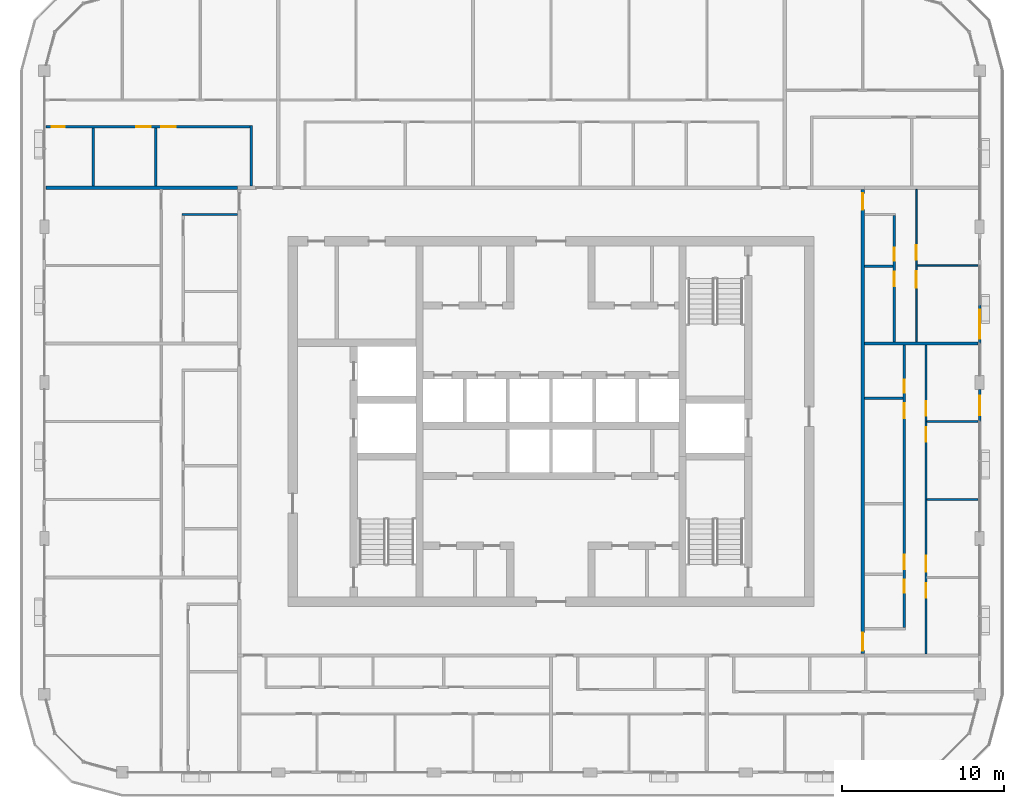
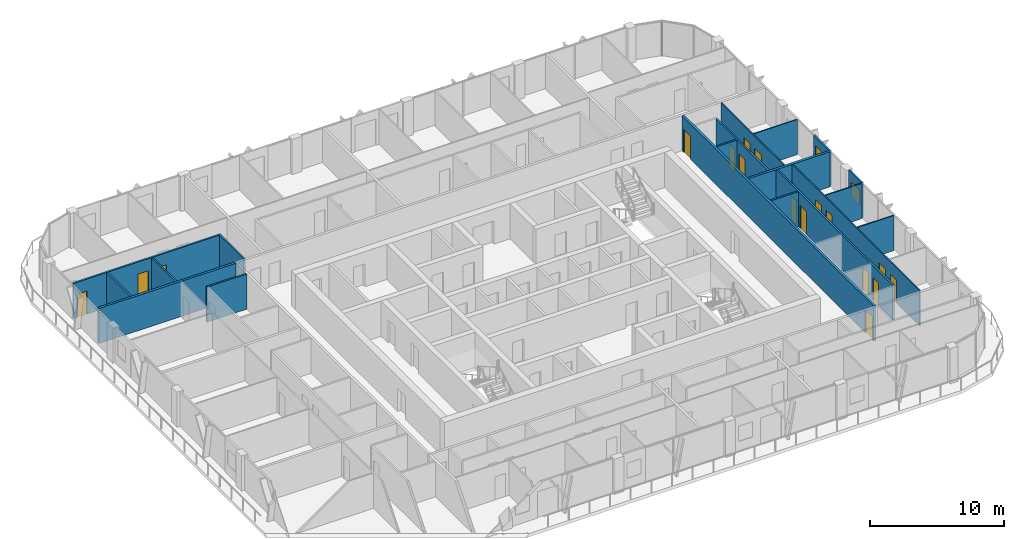
# One storey, part 13 of 21: 19 walls, 18 doors, 1 window, 19 openings.
"""IFC4 building model written with IfcOpenShell, lengths in metres."""

from ifc_helpers import new_model, si_unit, direction, frame, frame_2d, origin, place, context, subcontext, project, spatial, rectangle, extrude, material, layer, layer_set, type_object, element, fill, save


model = new_model("IFC4")

# Units and contexts
model_context = context("Model", 3, precision=1e-05, world=origin(), true_north=direction((0.0, 1.0)))
body_context = subcontext(model_context, "Body", "Model", "MODEL_VIEW")
ifc_project = project(units=[si_unit("LENGTHUNIT", "METRE"), si_unit("AREAUNIT", "SQUARE_METRE"), si_unit("VOLUMEUNIT", "CUBIC_METRE"), si_unit("PLANEANGLEUNIT", "RADIAN"), si_unit("MASSUNIT", "GRAM", prefix="KILO")], contexts=[model_context])

# Site, building, storey
site_placement = place(None, origin())
site = spatial("IfcSite", under=ifc_project, at=site_placement, CompositionType="ELEMENT")
building_placement = place(site_placement, origin())
building = spatial("IfcBuilding", under=site, at=building_placement, Name="Madar Terraces", CompositionType="ELEMENT")
storey_placement = place(building_placement, frame((0.0, 0.0, 238.699951171875)))
storey = spatial("IfcBuildingStorey", under=building, at=storey_placement, Name="L62", CompositionType="ELEMENT", Elevation=238.699951171875)

# Wall, opening, window
ifc_material_1 = material(Name="Aluminium composite panel, black, over insulated backing", Category="aluminium")
ifc_layer_1 = layer(ifc_material_1, 0.14990234375)
ifc_layer_set_1 = layer_set([ifc_layer_1], Name="Facade bay panel 150")
wall_type_1 = type_object("IfcWallType", Name="Facade bay panel 150", PredefinedType="SOLIDWALL", material=ifc_layer_set_1)
wall_1_placement = place(storey_placement, frame((57.60009765625, 26.39990234375, 0.0), z_axis=(0.0, 0.0, 1.0), x_axis=(0.0, 1.0, 0.0)))
wall_1 = element("IfcWall", 1, at=wall_1_placement, inside=storey, type_object=wall_type_1, Name="Facade bay panel", PredefinedType="SOLIDWALL", context=body_context, shape_type="SweptSolid", body=[
    extrude(rectangle(XDim=1.97509765625, YDim=0.14990234375, at=frame_2d((0.987548828125, 0.0))), origin(), (0.0, 0.0, 1.0), 3.199951171875),
])
opening_1_placement = place(wall_1_placement, frame((0.387451171875, 0.0, 0.89990234375)))
opening_1 = element("IfcOpeningElement", 2, at=opening_1_placement, cuts=wall_1, Name="Opening W1", PredefinedType="OPENING", context=body_context, shape_type="SweptSolid", body=[
    extrude(rectangle(XDim=1.199951171875, YDim=1.39990234375, at=frame_2d((0.60009765625, 0.699951171875))), frame((0.0, 0.0849609375, 0.0), z_axis=(0.0, -1.0, 0.0), x_axis=(1.0, 0.0, 0.0)), (0.0, 0.0, 1.0), 0.169921875),
])
ifc_material_2 = material(Name="Glass, clear, with black aluminium frame", Category="aluminium")
window_type = type_object("IfcWindowType", Name="Vent window 1200 x 1400", PartitioningType="SINGLE_PANEL", PredefinedType="WINDOW", material=ifc_material_2)
window_placement = place(opening_1_placement, origin())
window = element("IfcWindow", 3, at=window_placement, inside=storey, type_object=window_type, Name="Operable vent window", OverallHeight=1.39990234375, OverallWidth=1.199951171875, PartitioningType="SINGLE_PANEL", PredefinedType="WINDOW", context=body_context, shape_type="SweptSolid", body=[
    extrude(rectangle(XDim=1.199951171875, YDim=1.39990234375, at=frame_2d((0.60009765625, 0.699951171875))), frame((0.0, 0.030029296875, 0.0), z_axis=(0.0, -1.0, 0.0), x_axis=(1.0, 0.0, 0.0)), (0.0, 0.0, 1.0), 0.06005859375),
])
fill(opening_1, window)

# Wall, opening, door
wall_2_placement = place(storey_placement, frame((57.60009765625, 31.199951171875, 0.0), z_axis=(0.0, 0.0, 1.0), x_axis=(0.0, 1.0, 0.0)))
wall_2 = element("IfcWall", 4, at=wall_2_placement, inside=storey, type_object=wall_type_1, Name="Facade bay panel", PredefinedType="SOLIDWALL", context=body_context, shape_type="SweptSolid", body=[
    extrude(rectangle(XDim=2.400146484375, YDim=0.14990234375, at=frame_2d((1.2001953125, 0.0))), origin(), (0.0, 0.0, 1.0), 3.199951171875),
])
opening_2_placement = place(wall_2_placement, frame((0.300048828125, 0.0, 0.0)))
opening_2 = element("IfcOpeningElement", 5, at=opening_2_placement, cuts=wall_2, Name="Opening ED1", PredefinedType="OPENING", context=body_context, shape_type="SweptSolid", body=[
    extrude(rectangle(XDim=1.800048828125, YDim=2.39990234375, at=frame_2d((0.89990234375, 1.199951171875))), frame((0.0, 0.0849609375, 0.0), z_axis=(0.0, -1.0, 0.0), x_axis=(1.0, 0.0, 0.0)), (0.0, 0.0, 1.0), 0.169921875),
])
ifc_material_3 = material(Name="Glass, clear, with black aluminium frame", Category="aluminium")
door_type_1 = type_object("IfcDoorType", Name="Balcony and terrace sliding door 1800 x 2400", OperationType="SLIDING_TO_LEFT", PredefinedType="DOOR", material=ifc_material_3)
door_1_placement = place(opening_2_placement, origin())
door_1 = element("IfcDoor", 6, at=door_1_placement, inside=storey, type_object=door_type_1, Name="Balcony door", OperationType="SLIDING_TO_LEFT", OverallHeight=2.39990234375, OverallWidth=1.800048828125, PredefinedType="DOOR", context=body_context, shape_type="SweptSolid", body=[
    extrude(rectangle(XDim=1.800048828125, YDim=2.39990234375, at=frame_2d((0.89990234375, 1.199951171875))), frame((0.0, 0.02490234375, 0.0), z_axis=(0.0, -1.0, 0.0), x_axis=(1.0, 0.0, 0.0)), (0.0, 0.0, 1.0), 0.050048828125),
])
fill(opening_2, door_1)

# Walls
ifc_material_4 = material(Name="Gypsum board on steel studs", Category="steel")
ifc_layer_2 = layer(ifc_material_4, 0.10009765625)
ifc_layer_set_2 = layer_set([ifc_layer_2], Name="Flat partition 100")
wall_type_2 = type_object("IfcWallType", Name="Flat partition 100", PredefinedType="PARTITIONING", material=ifc_layer_set_2)
for number, where, z_axis, x_axis, name in (
    (7, (54.35009765625, 21.60009765625, 0.0), (0.0, 0.0, 1.0), (1.0, 0.0, 0.0), "Flat partition 100"),
    (8, (54.35009765625, 26.39990234375, 0.0), (0.0, 0.0, 1.0), (1.0, 0.0, 0.0), "Flat partition 100"),
):
    element("IfcWall", number, at=place(storey_placement, frame(where, z_axis=z_axis, x_axis=x_axis)), inside=storey, type_object=wall_type_2, Name=name, PredefinedType="PARTITIONING", context=body_context, shape_type="SweptSolid", body=[
        extrude(rectangle(XDim=3.14990234375, YDim=0.10009765625, at=frame_2d((1.574951171875, 0.0))), origin(), (0.0, 0.0, 1.0), 3.199951171875),
    ])

# Wall, openings, doors
wall_3_placement = place(storey_placement, frame((54.300048828125, 31.10009765625, 0.0), z_axis=(0.0, 0.0, 1.0), x_axis=(0.0, -1.0, 0.0)))
wall_3 = element("IfcWall", 9, at=wall_3_placement, inside=storey, type_object=wall_type_2, Name="Flat partition 100", PredefinedType="PARTITIONING", context=body_context, shape_type="SweptSolid", body=[
    extrude(rectangle(XDim=19.0, YDim=0.10009765625, at=frame_2d((9.5, 0.0))), origin(), (0.0, 0.0, 1.0), 3.199951171875),
])
opening_3_placement = place(wall_3_placement, frame((14.64990234375, 0.0, 0.0)))
opening_3 = element("IfcOpeningElement", 10, at=opening_3_placement, cuts=wall_3, Name="Opening D2", PredefinedType="OPENING", context=body_context, shape_type="SweptSolid", body=[
    extrude(rectangle(XDim=0.89990234375, YDim=2.10009765625, at=frame_2d((0.449951171875, 1.050048828125))), frame((0.0, 0.06005859375, 0.0), z_axis=(0.0, -1.0, 0.0), x_axis=(1.0, 0.0, 0.0)), (0.0, 0.0, 1.0), 0.1201171875),
])
opening_4_placement = place(wall_3_placement, frame((12.949951171875, 0.0, 0.0)))
opening_4 = element("IfcOpeningElement", 11, at=opening_4_placement, cuts=wall_3, Name="Opening D3", PredefinedType="OPENING", context=body_context, shape_type="SweptSolid", body=[
    extrude(rectangle(XDim=1.0, YDim=2.10009765625, at=frame_2d((0.5, 1.050048828125))), frame((0.0, 0.06005859375, 0.0), z_axis=(0.0, -1.0, 0.0), x_axis=(1.0, 0.0, 0.0)), (0.0, 0.0, 1.0), 0.1201171875),
])
opening_5_placement = place(wall_3_placement, frame((5.050048828125, 0.0, 0.0)))
opening_5 = element("IfcOpeningElement", 12, at=opening_5_placement, cuts=wall_3, Name="Opening D2", PredefinedType="OPENING", context=body_context, shape_type="SweptSolid", body=[
    extrude(rectangle(XDim=0.89990234375, YDim=2.10009765625, at=frame_2d((0.449951171875, 1.050048828125))), frame((0.0, 0.06005859375, 0.0), z_axis=(0.0, -1.0, 0.0), x_axis=(1.0, 0.0, 0.0)), (0.0, 0.0, 1.0), 0.1201171875),
])
opening_6_placement = place(wall_3_placement, frame((3.449951171875, 0.0, 0.0)))
opening_6 = element("IfcOpeningElement", 13, at=opening_6_placement, cuts=wall_3, Name="Opening D2", PredefinedType="OPENING", context=body_context, shape_type="SweptSolid", body=[
    extrude(rectangle(XDim=0.89990234375, YDim=2.10009765625, at=frame_2d((0.449951171875, 1.050048828125))), frame((0.0, 0.06005859375, 0.0), z_axis=(0.0, -1.0, 0.0), x_axis=(1.0, 0.0, 0.0)), (0.0, 0.0, 1.0), 0.1201171875),
])
ifc_material_5 = material(Name="Timber door leaf", Category="wood")
door_type_2 = type_object("IfcDoorType", Name="Flat living room door 1000", OperationType="NOTDEFINED", PredefinedType="DOOR", material=ifc_material_5)
door_2_placement = place(opening_4_placement, origin())
door_2 = element("IfcDoor", 14, at=door_2_placement, inside=storey, type_object=door_type_2, Name="Flat living room door 1000", OperationType="SINGLE_SWING_RIGHT", OverallHeight=2.10009765625, OverallWidth=1.0, PredefinedType="DOOR", context=body_context, shape_type="SweptSolid", body=[
    extrude(rectangle(XDim=1.0, YDim=2.10009765625, at=frame_2d((0.5, 1.050048828125))), frame((0.0, 0.02490234375, 0.0), z_axis=(0.0, -1.0, 0.0), x_axis=(1.0, 0.0, 0.0)), (0.0, 0.0, 1.0), 0.050048828125),
])
fill(opening_4, door_2)
ifc_material_6 = material(Name="Timber door leaf", Category="wood")
door_type_3 = type_object("IfcDoorType", Name="Flat room door 900", OperationType="NOTDEFINED", PredefinedType="DOOR", material=ifc_material_6)
door_3_placement = place(opening_3_placement, origin())
door_3 = element("IfcDoor", 15, at=door_3_placement, inside=storey, type_object=door_type_3, Name="Flat room door 900", OperationType="SINGLE_SWING_LEFT", OverallHeight=2.10009765625, OverallWidth=0.89990234375, PredefinedType="DOOR", context=body_context, shape_type="SweptSolid", body=[
    extrude(rectangle(XDim=0.89990234375, YDim=2.10009765625, at=frame_2d((0.449951171875, 1.050048828125))), frame((0.0, 0.02490234375, 0.0), z_axis=(0.0, -1.0, 0.0), x_axis=(1.0, 0.0, 0.0)), (0.0, 0.0, 1.0), 0.050048828125),
])
fill(opening_3, door_3)
door_4_placement = place(opening_5_placement, origin())
door_4 = element("IfcDoor", 16, at=door_4_placement, inside=storey, type_object=door_type_3, Name="Flat room door 900", OperationType="SINGLE_SWING_LEFT", OverallHeight=2.10009765625, OverallWidth=0.89990234375, PredefinedType="DOOR", context=body_context, shape_type="SweptSolid", body=[
    extrude(rectangle(XDim=0.89990234375, YDim=2.10009765625, at=frame_2d((0.449951171875, 1.050048828125))), frame((0.0, 0.02490234375, 0.0), z_axis=(0.0, -1.0, 0.0), x_axis=(1.0, 0.0, 0.0)), (0.0, 0.0, 1.0), 0.050048828125),
])
fill(opening_5, door_4)
door_5_placement = place(opening_6_placement, origin())
door_5 = element("IfcDoor", 17, at=door_5_placement, inside=storey, type_object=door_type_3, Name="Flat room door 900", OperationType="SINGLE_SWING_RIGHT", OverallHeight=2.10009765625, OverallWidth=0.89990234375, PredefinedType="DOOR", context=body_context, shape_type="SweptSolid", body=[
    extrude(rectangle(XDim=0.89990234375, YDim=2.10009765625, at=frame_2d((0.449951171875, 1.050048828125))), frame((0.0, 0.02490234375, 0.0), z_axis=(0.0, -1.0, 0.0), x_axis=(1.0, 0.0, 0.0)), (0.0, 0.0, 1.0), 0.050048828125),
])
fill(opening_6, door_5)

# Wall
wall_4_placement = place(storey_placement, frame((53.75, 36.0, 0.0), z_axis=(0.0, 0.0, 1.0), x_axis=(1.0, 0.0, 0.0)))
element("IfcWall", 18, at=wall_4_placement, inside=storey, type_object=wall_type_2, Name="Flat partition 100", PredefinedType="PARTITIONING", context=body_context, shape_type="SweptSolid", body=[
    extrude(rectangle(XDim=3.75, YDim=0.10009765625, at=frame_2d((1.875, 0.0))), origin(), (0.0, 0.0, 1.0), 3.199951171875),
])

# Wall, openings, doors
wall_5_placement = place(storey_placement, frame((53.699951171875, 40.699951171875, 0.0), z_axis=(0.0, 0.0, 1.0), x_axis=(0.0, -1.0, 0.0)))
wall_5 = element("IfcWall", 19, at=wall_5_placement, inside=storey, type_object=wall_type_2, Name="Flat partition 100", PredefinedType="PARTITIONING", context=body_context, shape_type="SweptSolid", body=[
    extrude(rectangle(XDim=9.39990234375, YDim=0.10009765625, at=frame_2d((4.699951171875, 0.0))), origin(), (0.0, 0.0, 1.0), 3.199951171875),
])
opening_7_placement = place(wall_5_placement, frame((3.449951171875, 0.0, 0.0)))
opening_7 = element("IfcOpeningElement", 20, at=opening_7_placement, cuts=wall_5, Name="Opening D2", PredefinedType="OPENING", context=body_context, shape_type="SweptSolid", body=[
    extrude(rectangle(XDim=0.89990234375, YDim=2.10009765625, at=frame_2d((0.449951171875, 1.050048828125))), frame((0.0, 0.06005859375, 0.0), z_axis=(0.0, -1.0, 0.0), x_axis=(1.0, 0.0, 0.0)), (0.0, 0.0, 1.0), 0.1201171875),
])
opening_8_placement = place(wall_5_placement, frame((5.050048828125, 0.0, 0.0)))
opening_8 = element("IfcOpeningElement", 21, at=opening_8_placement, cuts=wall_5, Name="Opening D3", PredefinedType="OPENING", context=body_context, shape_type="SweptSolid", body=[
    extrude(rectangle(XDim=1.0, YDim=2.10009765625, at=frame_2d((0.5, 1.050048828125))), frame((0.0, 0.06005859375, 0.0), z_axis=(0.0, -1.0, 0.0), x_axis=(1.0, 0.0, 0.0)), (0.0, 0.0, 1.0), 0.1201171875),
])
door_6_placement = place(opening_8_placement, origin())
door_6 = element("IfcDoor", 22, at=door_6_placement, inside=storey, type_object=door_type_2, Name="Flat living room door 1000", OperationType="SINGLE_SWING_LEFT", OverallHeight=2.10009765625, OverallWidth=1.0, PredefinedType="DOOR", context=body_context, shape_type="SweptSolid", body=[
    extrude(rectangle(XDim=1.0, YDim=2.10009765625, at=frame_2d((0.5, 1.050048828125))), frame((0.0, 0.02490234375, 0.0), z_axis=(0.0, -1.0, 0.0), x_axis=(1.0, 0.0, 0.0)), (0.0, 0.0, 1.0), 0.050048828125),
])
fill(opening_8, door_6)
door_7_placement = place(opening_7_placement, origin())
door_7 = element("IfcDoor", 23, at=door_7_placement, inside=storey, type_object=door_type_3, Name="Flat room door 900", OperationType="SINGLE_SWING_RIGHT", OverallHeight=2.10009765625, OverallWidth=0.89990234375, PredefinedType="DOOR", context=body_context, shape_type="SweptSolid", body=[
    extrude(rectangle(XDim=0.89990234375, YDim=2.10009765625, at=frame_2d((0.449951171875, 1.050048828125))), frame((0.0, 0.02490234375, 0.0), z_axis=(0.0, -1.0, 0.0), x_axis=(1.0, 0.0, 0.0)), (0.0, 0.0, 1.0), 0.050048828125),
])
fill(opening_7, door_7)

ifc_material_7 = material(Name="Lightweight blockwork", Category="masonry")
ifc_layer_3 = layer(ifc_material_7, 0.199951171875)
ifc_layer_set_3 = layer_set([ifc_layer_3], Name="Flat party and entrance wall 200")
wall_type_3 = type_object("IfcWallType", Name="Flat party and entrance wall 200", PredefinedType="PARTITIONING", material=ifc_layer_set_3)
wall_6_placement = place(storey_placement, frame((50.39990234375, 40.699951171875, 0.0), z_axis=(0.0, 0.0, 1.0), x_axis=(0.0, -1.0, 0.0)))
wall_6 = element("IfcWall", 24, at=wall_6_placement, inside=storey, type_object=wall_type_3, Name="Flat party and entrance wall 200", PredefinedType="PARTITIONING", context=body_context, shape_type="SweptSolid", body=[
    extrude(rectangle(XDim=28.599853515625, YDim=0.199951171875, at=frame_2d((14.2998046875, 0.0))), origin(), (0.0, 0.0, 1.0), 3.199951171875),
])
opening_9_placement = place(wall_6_placement, frame((27.300048828125, 0.0, 0.0)))
opening_9 = element("IfcOpeningElement", 25, at=opening_9_placement, cuts=wall_6, Name="Opening D6", PredefinedType="OPENING", context=body_context, shape_type="SweptSolid", body=[
    extrude(rectangle(XDim=1.10009765625, YDim=2.10009765625, at=frame_2d((0.550048828125, 1.050048828125))), frame((0.0, 0.10986328125, 0.0), z_axis=(0.0, -1.0, 0.0), x_axis=(1.0, 0.0, 0.0)), (0.0, 0.0, 1.0), 0.219970703125),
])
opening_10_placement = place(wall_6_placement, frame((0.25, 0.0, 0.0)))
opening_10 = element("IfcOpeningElement", 26, at=opening_10_placement, cuts=wall_6, Name="Opening D1", PredefinedType="OPENING", context=body_context, shape_type="SweptSolid", body=[
    extrude(rectangle(XDim=1.0, YDim=2.10009765625, at=frame_2d((0.5, 1.050048828125))), frame((0.0, 0.10986328125, 0.0), z_axis=(0.0, -1.0, 0.0), x_axis=(1.0, 0.0, 0.0)), (0.0, 0.0, 1.0), 0.219970703125),
])
ifc_material_8 = material(Name="Timber fire door leaf", Category="wood")
door_type_4 = type_object("IfcDoorType", Name="Flat entrance door 1000 FD30S", OperationType="NOTDEFINED", PredefinedType="DOOR", material=ifc_material_8)
door_8_placement = place(opening_10_placement, origin())
door_8 = element("IfcDoor", 27, at=door_8_placement, inside=storey, type_object=door_type_4, Name="Flat entrance door 1000 FD30S", OperationType="SINGLE_SWING_LEFT", OverallHeight=2.10009765625, OverallWidth=1.0, PredefinedType="DOOR", context=body_context, shape_type="SweptSolid", body=[
    extrude(rectangle(XDim=1.0, YDim=2.10009765625, at=frame_2d((0.5, 1.050048828125))), frame((0.0, 0.02490234375, 0.0), z_axis=(0.0, -1.0, 0.0), x_axis=(1.0, 0.0, 0.0)), (0.0, 0.0, 1.0), 0.050048828125),
])
fill(opening_10, door_8)
ifc_material_9 = material(Name="Timber fire door leaf", Category="wood")
door_type_5 = type_object("IfcDoorType", Name="Flat entrance door 1100 FD30S", OperationType="NOTDEFINED", PredefinedType="DOOR", material=ifc_material_9)
door_9_placement = place(opening_9_placement, origin())
door_9 = element("IfcDoor", 28, at=door_9_placement, inside=storey, type_object=door_type_5, Name="Flat entrance door 1100 FD30S", OperationType="SINGLE_SWING_RIGHT", OverallHeight=2.10009765625, OverallWidth=1.10009765625, PredefinedType="DOOR", context=body_context, shape_type="SweptSolid", body=[
    extrude(rectangle(XDim=1.10009765625, YDim=2.10009765625, at=frame_2d((0.550048828125, 1.050048828125))), frame((0.0, 0.02490234375, 0.0), z_axis=(0.0, -1.0, 0.0), x_axis=(1.0, 0.0, 0.0)), (0.0, 0.0, 1.0), 0.050048828125),
])
fill(opening_9, door_9)

# Walls
wall_7_placement = place(storey_placement, frame((50.5, 31.199951171875, 0.0), z_axis=(0.0, 0.0, 1.0), x_axis=(1.0, 0.0, 0.0)))
element("IfcWall", 29, at=wall_7_placement, inside=storey, type_object=wall_type_3, Name="Flat party and entrance wall 200", PredefinedType="PARTITIONING", context=body_context, shape_type="SweptSolid", body=[
    extrude(rectangle(XDim=7.0, YDim=0.199951171875, at=frame_2d((3.5, 0.0))), origin(), (0.0, 0.0, 1.0), 3.199951171875),
])
wall_8_placement = place(storey_placement, frame((0.10009765625, 40.800048828125, 0.0), z_axis=(0.0, 0.0, 1.0), x_axis=(1.0, 0.0, 0.0)))
element("IfcWall", 30, at=wall_8_placement, inside=storey, type_object=wall_type_3, Name="Flat party and entrance wall 200", PredefinedType="PARTITIONING", context=body_context, shape_type="SweptSolid", body=[
    extrude(rectangle(XDim=11.7998046875, YDim=0.199951171875, at=frame_2d((5.89990234375, 0.0))), origin(), (0.0, 0.0, 1.0), 3.199951171875),
])
ifc_material_10 = material(Name="Lightweight blockwork", Category="masonry")
ifc_layer_4 = layer(ifc_material_10, 0.14990234375)
ifc_layer_set_4 = layer_set([ifc_layer_4], Name="Flat wet-room partition 150")
wall_type_4 = type_object("IfcWallType", Name="Flat wet-room partition 150", PredefinedType="PARTITIONING", material=ifc_layer_set_4)
wall_9_placement = place(storey_placement, frame((50.5, 27.84228515625, 0.0), z_axis=(0.0, 0.0, 1.0), x_axis=(1.0, 0.0, 0.0)))
element("IfcWall", 31, at=wall_9_placement, inside=storey, type_object=wall_type_4, Name="Flat wet-room partition 150", PredefinedType="PARTITIONING", context=body_context, shape_type="SweptSolid", body=[
    extrude(rectangle(XDim=2.375, YDim=0.14990234375, at=frame_2d((1.1875, 0.0))), origin(), (0.0, 0.0, 1.0), 3.199951171875),
])

# Wall, openings, doors
wall_10_placement = place(storey_placement, frame((52.949951171875, 13.72509765625, 0.0), z_axis=(0.0, 0.0, 1.0), x_axis=(0.0, 1.0, 0.0)))
wall_10 = element("IfcWall", 32, at=wall_10_placement, inside=storey, type_object=wall_type_4, Name="Flat wet-room partition 150", PredefinedType="PARTITIONING", context=body_context, shape_type="SweptSolid", body=[
    extrude(rectangle(XDim=17.375, YDim=0.14990234375, at=frame_2d((8.6875, 0.0))), origin(), (0.0, 0.0, 1.0), 3.199951171875),
])
opening_11_placement = place(wall_10_placement, frame((2.1328125, 0.0, 0.0)))
opening_11 = element("IfcOpeningElement", 33, at=opening_11_placement, cuts=wall_10, Name="Opening D4", PredefinedType="OPENING", context=body_context, shape_type="SweptSolid", body=[
    extrude(rectangle(XDim=0.800048828125, YDim=2.10009765625, at=frame_2d((0.39990234375, 1.050048828125))), frame((0.0, 0.0849609375, 0.0), z_axis=(0.0, -1.0, 0.0), x_axis=(1.0, 0.0, 0.0)), (0.0, 0.0, 1.0), 0.169921875),
])
opening_12_placement = place(wall_10_placement, frame((3.582763671875, 0.0, 0.0)))
opening_12 = element("IfcOpeningElement", 34, at=opening_12_placement, cuts=wall_10, Name="Opening D5", PredefinedType="OPENING", context=body_context, shape_type="SweptSolid", body=[
    extrude(rectangle(XDim=0.89990234375, YDim=2.10009765625, at=frame_2d((0.449951171875, 1.050048828125))), frame((0.0, 0.0849609375, 0.0), z_axis=(0.0, -1.0, 0.0), x_axis=(1.0, 0.0, 0.0)), (0.0, 0.0, 1.0), 0.169921875),
])
opening_13_placement = place(wall_10_placement, frame((12.89208984375, 0.0, 0.0)))
opening_13 = element("IfcOpeningElement", 35, at=opening_13_placement, cuts=wall_10, Name="Opening D2", PredefinedType="OPENING", context=body_context, shape_type="SweptSolid", body=[
    extrude(rectangle(XDim=0.89990234375, YDim=2.10009765625, at=frame_2d((0.449951171875, 1.050048828125))), frame((0.0, 0.0849609375, 0.0), z_axis=(0.0, -1.0, 0.0), x_axis=(1.0, 0.0, 0.0)), (0.0, 0.0, 1.0), 0.169921875),
])
opening_14_placement = place(wall_10_placement, frame((14.442138671875, 0.0, 0.0)))
opening_14 = element("IfcOpeningElement", 36, at=opening_14_placement, cuts=wall_10, Name="Opening D7", PredefinedType="OPENING", context=body_context, shape_type="SweptSolid", body=[
    extrude(rectangle(XDim=0.800048828125, YDim=2.10009765625, at=frame_2d((0.39990234375, 1.050048828125))), frame((0.0, 0.0849609375, 0.0), z_axis=(0.0, -1.0, 0.0), x_axis=(1.0, 0.0, 0.0)), (0.0, 0.0, 1.0), 0.169921875),
])
ifc_material_11 = material(Name="Timber door leaf", Category="wood")
door_type_6 = type_object("IfcDoorType", Name="Flat accessible bathroom door 900", OperationType="NOTDEFINED", PredefinedType="DOOR", material=ifc_material_11)
door_10_placement = place(opening_12_placement, origin())
door_10 = element("IfcDoor", 37, at=door_10_placement, inside=storey, type_object=door_type_6, Name="Flat accessible bathroom door 900", OperationType="SINGLE_SWING_LEFT", OverallHeight=2.10009765625, OverallWidth=0.89990234375, PredefinedType="DOOR", context=body_context, shape_type="SweptSolid", body=[
    extrude(rectangle(XDim=0.89990234375, YDim=2.10009765625, at=frame_2d((0.449951171875, 1.050048828125))), frame((0.0, 0.02490234375, 0.0), z_axis=(0.0, -1.0, 0.0), x_axis=(1.0, 0.0, 0.0)), (0.0, 0.0, 1.0), 0.050048828125),
])
fill(opening_12, door_10)
ifc_material_12 = material(Name="Timber door leaf", Category="wood")
door_type_7 = type_object("IfcDoorType", Name="Flat bathroom door 800", OperationType="NOTDEFINED", PredefinedType="DOOR", material=ifc_material_12)
door_11_placement = place(opening_11_placement, origin())
door_11 = element("IfcDoor", 38, at=door_11_placement, inside=storey, type_object=door_type_7, Name="Flat bathroom door 800", OperationType="SINGLE_SWING_RIGHT", OverallHeight=2.10009765625, OverallWidth=0.800048828125, PredefinedType="DOOR", context=body_context, shape_type="SweptSolid", body=[
    extrude(rectangle(XDim=0.800048828125, YDim=2.10009765625, at=frame_2d((0.39990234375, 1.050048828125))), frame((0.0, 0.02490234375, 0.0), z_axis=(0.0, -1.0, 0.0), x_axis=(1.0, 0.0, 0.0)), (0.0, 0.0, 1.0), 0.050048828125),
])
fill(opening_11, door_11)
door_12_placement = place(opening_13_placement, origin())
door_12 = element("IfcDoor", 39, at=door_12_placement, inside=storey, type_object=door_type_3, Name="Flat room door 900", OperationType="SINGLE_SWING_RIGHT", OverallHeight=2.10009765625, OverallWidth=0.89990234375, PredefinedType="DOOR", context=body_context, shape_type="SweptSolid", body=[
    extrude(rectangle(XDim=0.89990234375, YDim=2.10009765625, at=frame_2d((0.449951171875, 1.050048828125))), frame((0.0, 0.02490234375, 0.0), z_axis=(0.0, -1.0, 0.0), x_axis=(1.0, 0.0, 0.0)), (0.0, 0.0, 1.0), 0.050048828125),
])
fill(opening_13, door_12)
ifc_material_13 = material(Name="Timber door leaf", Category="wood")
door_type_8 = type_object("IfcDoorType", Name="Flat utility door 800", OperationType="NOTDEFINED", PredefinedType="DOOR", material=ifc_material_13)
door_13_placement = place(opening_14_placement, origin())
door_13 = element("IfcDoor", 40, at=door_13_placement, inside=storey, type_object=door_type_8, Name="Flat utility door 800", OperationType="SINGLE_SWING_LEFT", OverallHeight=2.10009765625, OverallWidth=0.800048828125, PredefinedType="DOOR", context=body_context, shape_type="SweptSolid", body=[
    extrude(rectangle(XDim=0.800048828125, YDim=2.10009765625, at=frame_2d((0.39990234375, 1.050048828125))), frame((0.0, 0.02490234375, 0.0), z_axis=(0.0, -1.0, 0.0), x_axis=(1.0, 0.0, 0.0)), (0.0, 0.0, 1.0), 0.050048828125),
])
fill(opening_14, door_13)

# Wall
wall_11_placement = place(storey_placement, frame((50.5, 35.965087890625, 0.0), z_axis=(0.0, 0.0, 1.0), x_axis=(1.0, 0.0, 0.0)))
element("IfcWall", 41, at=wall_11_placement, inside=storey, type_object=wall_type_4, Name="Flat wet-room partition 150", PredefinedType="PARTITIONING", context=body_context, shape_type="SweptSolid", body=[
    extrude(rectangle(XDim=1.77490234375, YDim=0.14990234375, at=frame_2d((0.887451171875, 0.0))), origin(), (0.0, 0.0, 1.0), 3.199951171875),
])

# Wall, openings, doors
wall_12_placement = place(storey_placement, frame((52.35009765625, 31.300048828125, 0.0), z_axis=(0.0, 0.0, 1.0), x_axis=(0.0, 1.0, 0.0)))
wall_12 = element("IfcWall", 42, at=wall_12_placement, inside=storey, type_object=wall_type_4, Name="Flat wet-room partition 150", PredefinedType="PARTITIONING", context=body_context, shape_type="SweptSolid", body=[
    extrude(rectangle(XDim=7.77490234375, YDim=0.14990234375, at=frame_2d((3.887451171875, 0.0))), origin(), (0.0, 0.0, 1.0), 3.199951171875),
])
opening_15_placement = place(wall_12_placement, frame((4.989990234375, 0.0, 0.0)))
opening_15 = element("IfcOpeningElement", 43, at=opening_15_placement, cuts=wall_12, Name="Opening D4", PredefinedType="OPENING", context=body_context, shape_type="SweptSolid", body=[
    extrude(rectangle(XDim=0.800048828125, YDim=2.10009765625, at=frame_2d((0.39990234375, 1.050048828125))), frame((0.0, 0.0849609375, 0.0), z_axis=(0.0, -1.0, 0.0), x_axis=(1.0, 0.0, 0.0)), (0.0, 0.0, 1.0), 0.169921875),
])
opening_16_placement = place(wall_12_placement, frame((3.43994140625, 0.0, 0.0)))
opening_16 = element("IfcOpeningElement", 44, at=opening_16_placement, cuts=wall_12, Name="Opening D2", PredefinedType="OPENING", context=body_context, shape_type="SweptSolid", body=[
    extrude(rectangle(XDim=0.89990234375, YDim=2.10009765625, at=frame_2d((0.449951171875, 1.050048828125))), frame((0.0, 0.0849609375, 0.0), z_axis=(0.0, -1.0, 0.0), x_axis=(1.0, 0.0, 0.0)), (0.0, 0.0, 1.0), 0.169921875),
])
door_14_placement = place(opening_15_placement, origin())
door_14 = element("IfcDoor", 45, at=door_14_placement, inside=storey, type_object=door_type_7, Name="Flat bathroom door 800", OperationType="SINGLE_SWING_LEFT", OverallHeight=2.10009765625, OverallWidth=0.800048828125, PredefinedType="DOOR", context=body_context, shape_type="SweptSolid", body=[
    extrude(rectangle(XDim=0.800048828125, YDim=2.10009765625, at=frame_2d((0.39990234375, 1.050048828125))), frame((0.0, 0.02490234375, 0.0), z_axis=(0.0, -1.0, 0.0), x_axis=(1.0, 0.0, 0.0)), (0.0, 0.0, 1.0), 0.050048828125),
])
fill(opening_15, door_14)
door_15_placement = place(opening_16_placement, origin())
door_15 = element("IfcDoor", 46, at=door_15_placement, inside=storey, type_object=door_type_3, Name="Flat room door 900", OperationType="SINGLE_SWING_RIGHT", OverallHeight=2.10009765625, OverallWidth=0.89990234375, PredefinedType="DOOR", context=body_context, shape_type="SweptSolid", body=[
    extrude(rectangle(XDim=0.89990234375, YDim=2.10009765625, at=frame_2d((0.449951171875, 1.050048828125))), frame((0.0, 0.02490234375, 0.0), z_axis=(0.0, -1.0, 0.0), x_axis=(1.0, 0.0, 0.0)), (0.0, 0.0, 1.0), 0.050048828125),
])
fill(opening_16, door_15)

# Walls
for number, where, z_axis, x_axis, name in (
    (47, (6.87109375, 40.89990234375, 0.0), (0.0, 0.0, 1.0), (0.0, 1.0, 0.0), "Flat wet-room partition 150"),
    (48, (3.001953125, 40.89990234375, 0.0), (0.0, 0.0, 1.0), (0.0, 1.0, 0.0), "Flat wet-room partition 150"),
):
    element("IfcWall", number, at=place(storey_placement, frame(where, z_axis=z_axis, x_axis=x_axis)), inside=storey, type_object=wall_type_4, Name=name, PredefinedType="PARTITIONING", context=body_context, shape_type="SweptSolid", body=[
        extrude(rectangle(XDim=3.5751953125, YDim=0.14990234375, at=frame_2d((1.78759765625, 0.0))), origin(), (0.0, 0.0, 1.0), 3.199951171875),
    ])
wall_13_placement = place(storey_placement, frame((12.75, 40.89990234375, 0.0), z_axis=(0.0, 0.0, 1.0), x_axis=(0.0, 1.0, 0.0)))
element("IfcWall", 49, at=wall_13_placement, inside=storey, type_object=wall_type_4, Name="Flat wet-room partition 150", PredefinedType="PARTITIONING", context=body_context, shape_type="SweptSolid", body=[
    extrude(rectangle(XDim=3.72509765625, YDim=0.14990234375, at=frame_2d((1.862548828125, 0.0))), origin(), (0.0, 0.0, 1.0), 3.199951171875),
])

# Wall, openings, doors
wall_14_placement = place(storey_placement, frame((12.675048828125, 44.550048828125, 0.0), z_axis=(0.0, 0.0, 1.0), x_axis=(-1.0, 0.0, 0.0)))
wall_14 = element("IfcWall", 50, at=wall_14_placement, inside=storey, type_object=wall_type_4, Name="Flat wet-room partition 150", PredefinedType="PARTITIONING", context=body_context, shape_type="SweptSolid", body=[
    extrude(rectangle(XDim=12.574951171875, YDim=0.14990234375, at=frame_2d((6.28759765625, 0.0))), origin(), (0.0, 0.0, 1.0), 3.199951171875),
])
opening_17_placement = place(wall_14_placement, frame((4.578857421875, 0.0, 0.0)))
opening_17 = element("IfcOpeningElement", 51, at=opening_17_placement, cuts=wall_14, Name="Opening D2", PredefinedType="OPENING", context=body_context, shape_type="SweptSolid", body=[
    extrude(rectangle(XDim=0.89990234375, YDim=2.10009765625, at=frame_2d((0.449951171875, 1.050048828125))), frame((0.0, 0.0849609375, 0.0), z_axis=(0.0, -1.0, 0.0), x_axis=(1.0, 0.0, 0.0)), (0.0, 0.0, 1.0), 0.169921875),
])
opening_18_placement = place(wall_14_placement, frame((6.12890625, 0.0, 0.0)))
opening_18 = element("IfcOpeningElement", 52, at=opening_18_placement, cuts=wall_14, Name="Opening D5", PredefinedType="OPENING", context=body_context, shape_type="SweptSolid", body=[
    extrude(rectangle(XDim=0.89990234375, YDim=2.10009765625, at=frame_2d((0.449951171875, 1.050048828125))), frame((0.0, 0.0849609375, 0.0), z_axis=(0.0, -1.0, 0.0), x_axis=(1.0, 0.0, 0.0)), (0.0, 0.0, 1.0), 0.169921875),
])
opening_19_placement = place(wall_14_placement, frame((11.425048828125, 0.0, 0.0)))
opening_19 = element("IfcOpeningElement", 53, at=opening_19_placement, cuts=wall_14, Name="Opening D4", PredefinedType="OPENING", context=body_context, shape_type="SweptSolid", body=[
    extrude(rectangle(XDim=0.800048828125, YDim=2.10009765625, at=frame_2d((0.39990234375, 1.050048828125))), frame((0.0, 0.0849609375, 0.0), z_axis=(0.0, -1.0, 0.0), x_axis=(1.0, 0.0, 0.0)), (0.0, 0.0, 1.0), 0.169921875),
])
door_16_placement = place(opening_18_placement, origin())
door_16 = element("IfcDoor", 54, at=door_16_placement, inside=storey, type_object=door_type_6, Name="Flat accessible bathroom door 900", OperationType="SINGLE_SWING_LEFT", OverallHeight=2.10009765625, OverallWidth=0.89990234375, PredefinedType="DOOR", context=body_context, shape_type="SweptSolid", body=[
    extrude(rectangle(XDim=0.89990234375, YDim=2.10009765625, at=frame_2d((0.449951171875, 1.050048828125))), frame((0.0, 0.02490234375, 0.0), z_axis=(0.0, -1.0, 0.0), x_axis=(1.0, 0.0, 0.0)), (0.0, 0.0, 1.0), 0.050048828125),
])
fill(opening_18, door_16)
door_17_placement = place(opening_19_placement, origin())
door_17 = element("IfcDoor", 55, at=door_17_placement, inside=storey, type_object=door_type_7, Name="Flat bathroom door 800", OperationType="SINGLE_SWING_RIGHT", OverallHeight=2.10009765625, OverallWidth=0.800048828125, PredefinedType="DOOR", context=body_context, shape_type="SweptSolid", body=[
    extrude(rectangle(XDim=0.800048828125, YDim=2.10009765625, at=frame_2d((0.39990234375, 1.050048828125))), frame((0.0, 0.02490234375, 0.0), z_axis=(0.0, -1.0, 0.0), x_axis=(1.0, 0.0, 0.0)), (0.0, 0.0, 1.0), 0.050048828125),
])
fill(opening_19, door_17)
door_18_placement = place(opening_17_placement, origin())
door_18 = element("IfcDoor", 56, at=door_18_placement, inside=storey, type_object=door_type_3, Name="Flat room door 900", OperationType="SINGLE_SWING_RIGHT", OverallHeight=2.10009765625, OverallWidth=0.89990234375, PredefinedType="DOOR", context=body_context, shape_type="SweptSolid", body=[
    extrude(rectangle(XDim=0.89990234375, YDim=2.10009765625, at=frame_2d((0.449951171875, 1.050048828125))), frame((0.0, 0.02490234375, 0.0), z_axis=(0.0, -1.0, 0.0), x_axis=(1.0, 0.0, 0.0)), (0.0, 0.0, 1.0), 0.050048828125),
])
fill(opening_17, door_18)

# Wall
wall_15_placement = place(storey_placement, frame((11.89990234375, 39.14990234375, 0.0), z_axis=(0.0, 0.0, 1.0), x_axis=(-1.0, 0.0, 0.0)))
element("IfcWall", 57, at=wall_15_placement, inside=storey, type_object=wall_type_4, Name="Flat wet-room partition 150", PredefinedType="PARTITIONING", context=body_context, shape_type="SweptSolid", body=[
    extrude(rectangle(XDim=3.4248046875, YDim=0.14990234375, at=frame_2d((1.71240234375, 0.0))), origin(), (0.0, 0.0, 1.0), 3.199951171875),
])

save(model, "model.ifc")
